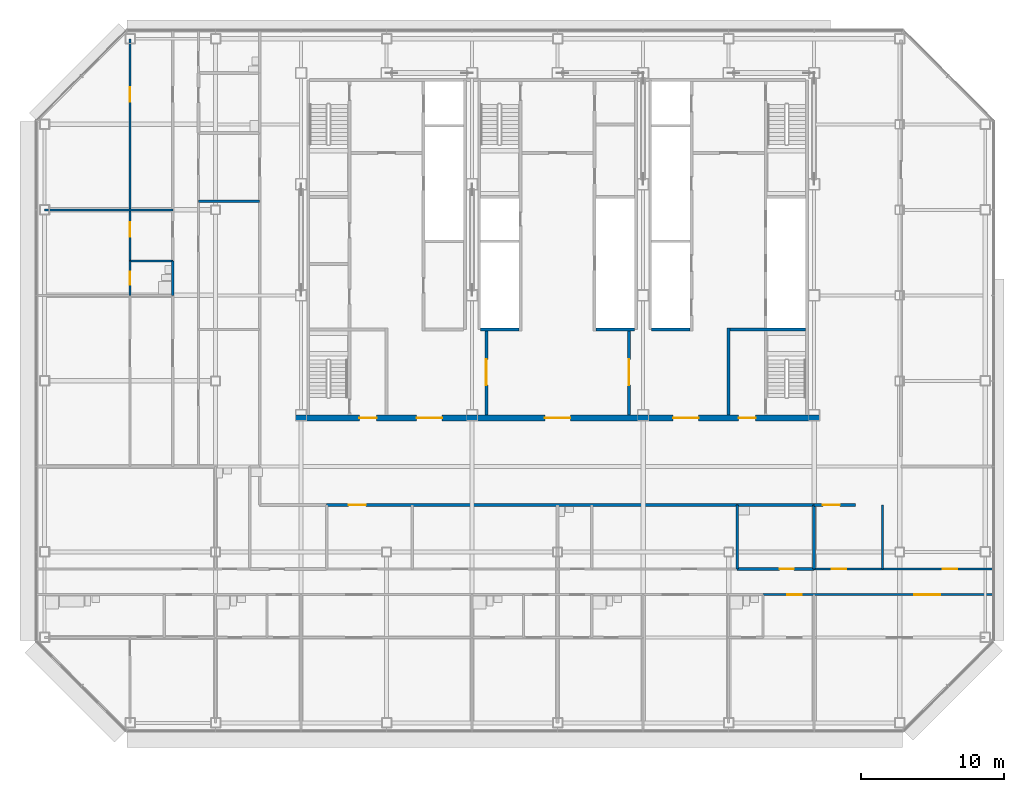
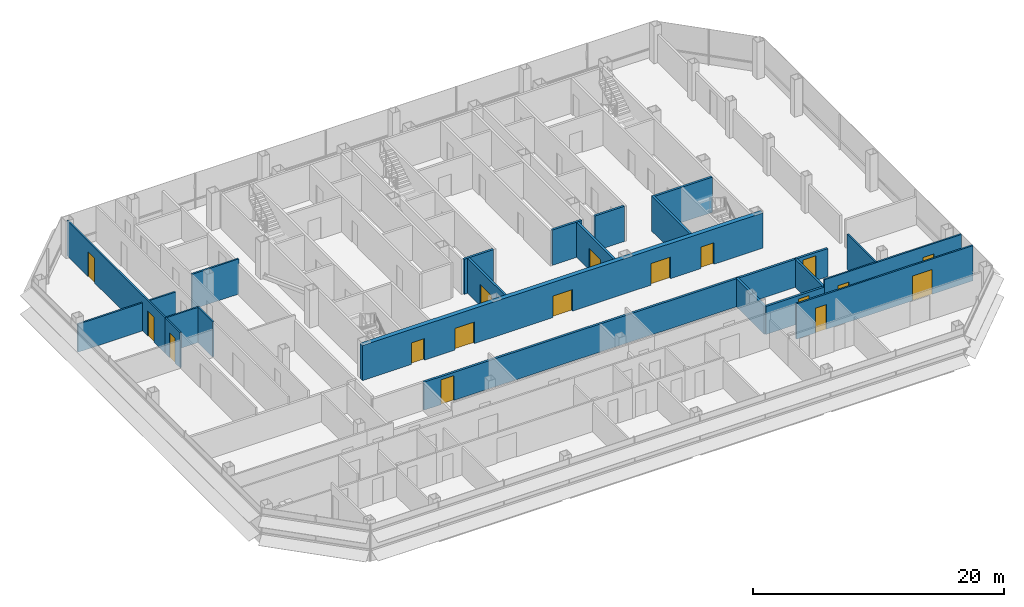
# One storey, part 22 of 27: 23 walls, 17 doors, 17 openings.
"""IFC4 building model written with IfcOpenShell, lengths in metres."""

from ifc_helpers import new_model, si_unit, direction, frame, frame_2d, origin, place, context, subcontext, project, spatial, rectangle, extrude, material, layer, layer_set, type_object, element, fill, save


model = new_model("IFC4")

# Units and contexts
model_context = context("Model", 3, precision=1e-05, world=origin(), true_north=direction((0.0, 1.0)))
body_context = subcontext(model_context, "Body", "Model", "MODEL_VIEW")
ifc_project = project(units=[si_unit("LENGTHUNIT", "METRE"), si_unit("AREAUNIT", "SQUARE_METRE"), si_unit("VOLUMEUNIT", "CUBIC_METRE"), si_unit("PLANEANGLEUNIT", "RADIAN"), si_unit("MASSUNIT", "GRAM", prefix="KILO")], contexts=[model_context])

# Site, building, storey
site_placement = place(None, origin())
site = spatial("IfcSite", under=ifc_project, at=site_placement, CompositionType="ELEMENT")
building_placement = place(site_placement, origin())
building = spatial("IfcBuilding", under=site, at=building_placement, Name="Sorahane Residences", CompositionType="ELEMENT")
storey_placement = place(building_placement, frame((0.0, 0.0, 195.60009765625)))
storey = spatial("IfcBuildingStorey", under=building, at=storey_placement, Name="L45", CompositionType="ELEMENT", Elevation=195.60009765625)

# Wall, opening, door
ifc_material_1 = material(Name="Concrete blockwork C20 wall", Category="masonry")
ifc_layer_1 = layer(ifc_material_1, 0.199951171875)
ifc_layer_set_1 = layer_set([ifc_layer_1], Name="Corridor wall 200 EI 120")
wall_type_1 = type_object("IfcWallType", Name="Corridor wall 200 EI 120", PredefinedType="SOLIDWALL", material=ifc_layer_set_1)
wall_1_placement = place(storey_placement, frame((7.800048828125, 15.300048828125, 0.0), z_axis=(0.0, 0.0, 1.0), x_axis=(1.0, 0.0, 0.0)))
wall_1 = element("IfcWall", 1, at=wall_1_placement, inside=storey, type_object=wall_type_1, Name="L45 corridor wall", PredefinedType="SOLIDWALL", context=body_context, shape_type="SweptSolid", body=[
    extrude(rectangle(XDim=28.800048828125, YDim=0.199951171875, at=frame_2d((14.39990234375, 0.0))), origin(), (0.0, 0.0, 1.0), 2.719970703125),
])
opening_1_placement = place(wall_1_placement, frame((1.5400390625, 0.0, 0.0)))
opening_1 = element("IfcOpeningElement", 2, at=opening_1_placement, cuts=wall_1, Name="Opening L45-44", PredefinedType="OPENING", context=body_context, shape_type="SweptSolid", body=[
    extrude(rectangle(XDim=1.199951171875, YDim=2.39990234375, at=frame_2d((0.60009765625, 1.199951171875))), frame((0.0, 0.10986328125, 0.0), z_axis=(0.0, -1.0, 0.0), x_axis=(1.0, 0.0, 0.0)), (0.0, 0.0, 1.0), 0.219970703125),
])
ifc_material_2 = material(Name="Timber veneered fire door", Category="wood")
door_type_1 = type_object("IfcDoorType", Name="Flat entrance door 1200x2400 FD60", OperationType="NOTDEFINED", PredefinedType="DOOR", material=ifc_material_2)
door_1_placement = place(opening_1_placement, frame((1.199951171875, 0.0, 0.0), z_axis=(0.0, 0.0, 1.0), x_axis=(-1.0, 0.0, 0.0)))
door_1 = element("IfcDoor", 3, at=door_1_placement, inside=storey, type_object=door_type_1, Name="Flat entrance door L45-44", OperationType="SINGLE_SWING_LEFT", OverallHeight=2.39990234375, OverallWidth=1.199951171875, PredefinedType="DOOR", context=body_context, shape_type="SweptSolid", body=[
    extrude(rectangle(XDim=1.199951171875, YDim=2.39990234375, at=frame_2d((0.60009765625, 1.199951171875))), frame((0.0, 0.02490234375, 0.0), z_axis=(0.0, -1.0, 0.0), x_axis=(1.0, 0.0, 0.0)), (0.0, 0.0, 1.0), 0.050048828125),
])
fill(opening_1, door_1)

wall_2_placement = place(storey_placement, frame((42.0, 15.300048828125, 0.0), z_axis=(0.0, 0.0, 1.0), x_axis=(1.0, 0.0, 0.0)))
wall_2 = element("IfcWall", 4, at=wall_2_placement, inside=storey, type_object=wall_type_1, Name="L45 corridor wall", PredefinedType="SOLIDWALL", context=body_context, shape_type="SweptSolid", body=[
    extrude(rectangle(XDim=2.89990234375, YDim=0.199951171875, at=frame_2d((1.449951171875, 0.0))), origin(), (0.0, 0.0, 1.0), 2.719970703125),
])
opening_2_placement = place(wall_2_placement, frame((0.610107421875, 0.0, 0.0)))
opening_2 = element("IfcOpeningElement", 5, at=opening_2_placement, cuts=wall_2, Name="Opening L45-45", PredefinedType="OPENING", context=body_context, shape_type="SweptSolid", body=[
    extrude(rectangle(XDim=1.199951171875, YDim=2.39990234375, at=frame_2d((0.60009765625, 1.199951171875))), frame((0.0, 0.10986328125, 0.0), z_axis=(0.0, -1.0, 0.0), x_axis=(1.0, 0.0, 0.0)), (0.0, 0.0, 1.0), 0.219970703125),
])
door_2_placement = place(opening_2_placement, frame((1.199951171875, 0.0, 0.0), z_axis=(0.0, 0.0, 1.0), x_axis=(-1.0, 0.0, 0.0)))
door_2 = element("IfcDoor", 6, at=door_2_placement, inside=storey, type_object=door_type_1, Name="Flat entrance door L45-45", OperationType="SINGLE_SWING_RIGHT", OverallHeight=2.39990234375, OverallWidth=1.199951171875, PredefinedType="DOOR", context=body_context, shape_type="SweptSolid", body=[
    extrude(rectangle(XDim=1.199951171875, YDim=2.39990234375, at=frame_2d((0.60009765625, 1.199951171875))), frame((0.0, 0.02490234375, 0.0), z_axis=(0.0, -1.0, 0.0), x_axis=(1.0, 0.0, 0.0)), (0.0, 0.0, 1.0), 0.050048828125),
])
fill(opening_2, door_2)

# Walls
ifc_material_3 = material(Name="Concrete C30", Category="concrete")
ifc_layer_2 = layer(ifc_material_3, 0.199951171875)
ifc_layer_set_2 = layer_set([ifc_layer_2], Name="Front room wall 200 EI 120")
wall_type_2 = type_object("IfcWallType", Name="Front room wall 200 EI 120", PredefinedType="PARTITIONING", material=ifc_layer_set_2)
wall_3_placement = place(storey_placement, frame((36.0, 21.60009765625, 0.0), z_axis=(0.0, 0.0, 1.0), x_axis=(0.0, 1.0, 0.0)))
element("IfcWall", 7, at=wall_3_placement, inside=storey, type_object=wall_type_2, Name="L45 front room wall", PredefinedType="PARTITIONING", context=body_context, shape_type="SweptSolid", body=[
    extrude(rectangle(XDim=6.099853515625, YDim=0.199951171875, at=frame_2d((3.0498046875, 0.0))), origin(), (0.0, 0.0, 1.0), 3.419921875),
])
ifc_material_4 = material(Name="Concrete blockwork C20 wall", Category="masonry")
ifc_layer_3 = layer(ifc_material_4, 0.199951171875)
ifc_layer_set_3 = layer_set([ifc_layer_3], Name="Kitchen wall 200 EI 180")
wall_type_3 = type_object("IfcWallType", Name="Kitchen wall 200 EI 180", PredefinedType="SOLIDWALL", material=ifc_layer_set_3)
for number, where, z_axis, x_axis, name in (
    (8, (36.60009765625, 10.800048828125, 0.0), (0.0, 0.0, 1.0), (0.0, 1.0, 0.0), "L45 kitchen wall"),
    (9, (42.0, 10.800048828125, 0.0), (0.0, 0.0, 1.0), (0.0, 1.0, 0.0), "L45 kitchen wall"),
):
    element("IfcWall", number, at=place(storey_placement, frame(where, z_axis=z_axis, x_axis=x_axis)), inside=storey, type_object=wall_type_3, Name=name, PredefinedType="SOLIDWALL", context=body_context, shape_type="SweptSolid", body=[
        extrude(rectangle(XDim=4.5, YDim=0.199951171875, at=frame_2d((2.25, 0.0))), origin(), (0.0, 0.0, 1.0), 2.719970703125),
    ])

# Wall, opening, door
wall_4_placement = place(storey_placement, frame((36.60009765625, 10.800048828125, 0.0), z_axis=(0.0, 0.0, 1.0), x_axis=(1.0, 0.0, 0.0)))
wall_4 = element("IfcWall", 10, at=wall_4_placement, inside=storey, type_object=wall_type_3, Name="L45 kitchen wall", PredefinedType="SOLIDWALL", context=body_context, shape_type="SweptSolid", body=[
    extrude(rectangle(XDim=5.39990234375, YDim=0.199951171875, at=frame_2d((2.699951171875, 0.0))), origin(), (0.0, 0.0, 1.0), 2.719970703125),
])
opening_3_placement = place(wall_4_placement, frame((2.97998046875, 0.0, 0.0)))
opening_3 = element("IfcOpeningElement", 11, at=opening_3_placement, cuts=wall_4, Name="Opening L45-21", PredefinedType="OPENING", context=body_context, shape_type="SweptSolid", body=[
    extrude(rectangle(XDim=1.0, YDim=2.39990234375, at=frame_2d((0.5, 1.199951171875))), frame((0.0, 0.10986328125, 0.0), z_axis=(0.0, -1.0, 0.0), x_axis=(1.0, 0.0, 0.0)), (0.0, 0.0, 1.0), 0.219970703125),
])
ifc_material_5 = material(Name="Steel", Category="steel")
door_type_2 = type_object("IfcDoorType", Name="Kitchen door 1000x2400 FD120", OperationType="NOTDEFINED", PredefinedType="DOOR", material=ifc_material_5)
door_3_placement = place(opening_3_placement, origin())
door_3 = element("IfcDoor", 12, at=door_3_placement, inside=storey, type_object=door_type_2, Name="Kitchen door L45-21", OperationType="SINGLE_SWING_LEFT", OverallHeight=2.39990234375, OverallWidth=1.0, PredefinedType="DOOR", context=body_context, shape_type="SweptSolid", body=[
    extrude(rectangle(XDim=1.0, YDim=2.39990234375, at=frame_2d((0.5, 1.199951171875))), frame((0.0, 0.02490234375, 0.0), z_axis=(0.0, -1.0, 0.0), x_axis=(1.0, 0.0, 0.0)), (0.0, 0.0, 1.0), 0.050048828125),
])
fill(opening_3, door_3)

# Walls
wall_5_placement = place(storey_placement, frame((36.60009765625, 15.300048828125, 0.0), z_axis=(0.0, 0.0, 1.0), x_axis=(1.0, 0.0, 0.0)))
element("IfcWall", 13, at=wall_5_placement, inside=storey, type_object=wall_type_3, Name="L45 kitchen wall", PredefinedType="SOLIDWALL", context=body_context, shape_type="SweptSolid", body=[
    extrude(rectangle(XDim=5.39990234375, YDim=0.199951171875, at=frame_2d((2.699951171875, 0.0))), origin(), (0.0, 0.0, 1.0), 2.719970703125),
])
ifc_material_6 = material(Name="Concrete C30", Category="concrete")
ifc_layer_4 = layer(ifc_material_6, 0.199951171875)
ifc_layer_set_4 = layer_set([ifc_layer_4], Name="Lift shaft wall 200 EI 120")
wall_type_4 = type_object("IfcWallType", Name="Lift shaft wall 200 EI 120", PredefinedType="SOLIDWALL", material=ifc_layer_set_4)
for number, where, z_axis, x_axis, name in (
    (14, (18.60009765625, 27.60009765625, 0.0), (0.0, 0.0, 1.0), (1.0, 0.0, 0.0), "L45 lift shaft wall"),
    (15, (30.60009765625, 27.60009765625, 0.0), (0.0, 0.0, 1.0), (1.0, 0.0, 0.0), "L45 lift shaft wall"),
):
    element("IfcWall", number, at=place(storey_placement, frame(where, z_axis=z_axis, x_axis=x_axis)), inside=storey, type_object=wall_type_4, Name=name, PredefinedType="SOLIDWALL", context=body_context, shape_type="SweptSolid", body=[
        extrude(rectangle(XDim=2.699951171875, YDim=0.199951171875, at=frame_2d((1.35009765625, 0.0))), origin(), (0.0, 0.0, 1.0), 3.419921875),
    ])

# Wall, openings, doors
ifc_material_7 = material(Name="Gypsum board partition on steel studs", Category="steel")
ifc_layer_5 = layer(ifc_material_7, 0.14990234375)
ifc_layer_set_5 = layer_set([ifc_layer_5], Name="Partition 150 EI 90")
wall_type_5 = type_object("IfcWallType", Name="Partition 150 EI 90", PredefinedType="PARTITIONING", material=ifc_layer_set_5)
wall_6_placement = place(storey_placement, frame((-6.0, 32.39990234375, 0.0), z_axis=(0.0, 0.0, 1.0), x_axis=(0.0, 1.0, 0.0)))
wall_6 = element("IfcWall", 16, at=wall_6_placement, inside=storey, type_object=wall_type_5, Name="L45 partition", PredefinedType="PARTITIONING", context=body_context, shape_type="SweptSolid", body=[
    extrude(rectangle(XDim=15.60009765625, YDim=0.14990234375, at=frame_2d((7.800048828125, 0.0))), origin(), (0.0, 0.0, 1.0), 3.419921875),
])
opening_4_placement = place(wall_6_placement, frame((1.719970703125, 0.0, 0.0)))
opening_4 = element("IfcOpeningElement", 17, at=opening_4_placement, cuts=wall_6, Name="Opening L45-41", PredefinedType="OPENING", context=body_context, shape_type="SweptSolid", body=[
    extrude(rectangle(XDim=1.0, YDim=2.39990234375, at=frame_2d((0.5, 1.199951171875))), frame((0.0, 0.0849609375, 0.0), z_axis=(0.0, -1.0, 0.0), x_axis=(1.0, 0.0, 0.0)), (0.0, 0.0, 1.0), 0.169921875),
])
opening_5_placement = place(wall_6_placement, frame((11.199951171875, 0.0, 0.0)))
opening_5 = element("IfcOpeningElement", 18, at=opening_5_placement, cuts=wall_6, Name="Opening L45-43", PredefinedType="OPENING", context=body_context, shape_type="SweptSolid", body=[
    extrude(rectangle(XDim=1.0, YDim=2.39990234375, at=frame_2d((0.5, 1.199951171875))), frame((0.0, 0.0849609375, 0.0), z_axis=(0.0, -1.0, 0.0), x_axis=(1.0, 0.0, 0.0)), (0.0, 0.0, 1.0), 0.169921875),
])
ifc_material_8 = material(Name="Timber veneered fire door", Category="wood")
door_type_3 = type_object("IfcDoorType", Name="Room door 1000x2400 FD30", OperationType="NOTDEFINED", PredefinedType="DOOR", material=ifc_material_8)
door_4_placement = place(opening_4_placement, origin())
door_4 = element("IfcDoor", 19, at=door_4_placement, inside=storey, type_object=door_type_3, Name="Room door L45-41", OperationType="SINGLE_SWING_RIGHT", OverallHeight=2.39990234375, OverallWidth=1.0, PredefinedType="DOOR", context=body_context, shape_type="SweptSolid", body=[
    extrude(rectangle(XDim=1.0, YDim=2.39990234375, at=frame_2d((0.5, 1.199951171875))), frame((0.0, 0.02490234375, 0.0), z_axis=(0.0, -1.0, 0.0), x_axis=(1.0, 0.0, 0.0)), (0.0, 0.0, 1.0), 0.050048828125),
])
fill(opening_4, door_4)
door_5_placement = place(opening_5_placement, origin())
door_5 = element("IfcDoor", 20, at=door_5_placement, inside=storey, type_object=door_type_3, Name="Room door L45-43", OperationType="SINGLE_SWING_LEFT", OverallHeight=2.39990234375, OverallWidth=1.0, PredefinedType="DOOR", context=body_context, shape_type="SweptSolid", body=[
    extrude(rectangle(XDim=1.0, YDim=2.39990234375, at=frame_2d((0.5, 1.199951171875))), frame((0.0, 0.02490234375, 0.0), z_axis=(0.0, -1.0, 0.0), x_axis=(1.0, 0.0, 0.0)), (0.0, 0.0, 1.0), 0.050048828125),
])
fill(opening_5, door_5)

# Wall
wall_7_placement = place(storey_placement, frame((46.800048828125, 10.800048828125, 0.0), z_axis=(0.0, 0.0, 1.0), x_axis=(0.0, 1.0, 0.0)))
element("IfcWall", 21, at=wall_7_placement, inside=storey, type_object=wall_type_5, Name="L45 partition", PredefinedType="PARTITIONING", context=body_context, shape_type="SweptSolid", body=[
    extrude(rectangle(XDim=4.5, YDim=0.14990234375, at=frame_2d((2.25, 0.0))), origin(), (0.0, 0.0, 1.0), 3.419921875),
])

# Wall, openings, doors
wall_8_placement = place(storey_placement, frame((42.0, 10.800048828125, 0.0), z_axis=(0.0, 0.0, 1.0), x_axis=(1.0, 0.0, 0.0)))
wall_8 = element("IfcWall", 22, at=wall_8_placement, inside=storey, type_object=wall_type_5, Name="L45 partition", PredefinedType="PARTITIONING", context=body_context, shape_type="SweptSolid", body=[
    extrude(rectangle(XDim=12.60009765625, YDim=0.14990234375, at=frame_2d((6.300048828125, 0.0))), origin(), (0.0, 0.0, 1.0), 3.419921875),
])
opening_6_placement = place(wall_8_placement, frame((1.239990234375, 0.0, 0.0)))
opening_6 = element("IfcOpeningElement", 23, at=opening_6_placement, cuts=wall_8, Name="Opening L45-18", PredefinedType="OPENING", context=body_context, shape_type="SweptSolid", body=[
    extrude(rectangle(XDim=1.0, YDim=2.39990234375, at=frame_2d((0.5, 1.199951171875))), frame((0.0, 0.0849609375, 0.0), z_axis=(0.0, -1.0, 0.0), x_axis=(1.0, 0.0, 0.0)), (0.0, 0.0, 1.0), 0.169921875),
])
opening_7_placement = place(wall_8_placement, frame((9.0400390625, 0.0, 0.0)))
opening_7 = element("IfcOpeningElement", 24, at=opening_7_placement, cuts=wall_8, Name="Opening L45-22", PredefinedType="OPENING", context=body_context, shape_type="SweptSolid", body=[
    extrude(rectangle(XDim=1.0, YDim=2.39990234375, at=frame_2d((0.5, 1.199951171875))), frame((0.0, 0.0849609375, 0.0), z_axis=(0.0, -1.0, 0.0), x_axis=(1.0, 0.0, 0.0)), (0.0, 0.0, 1.0), 0.169921875),
])
door_6_placement = place(opening_6_placement, frame((1.0, 0.0, 0.0), z_axis=(0.0, 0.0, 1.0), x_axis=(-1.0, 0.0, 0.0)))
door_6 = element("IfcDoor", 25, at=door_6_placement, inside=storey, type_object=door_type_3, Name="Room door L45-18", OperationType="SINGLE_SWING_LEFT", OverallHeight=2.39990234375, OverallWidth=1.0, PredefinedType="DOOR", context=body_context, shape_type="SweptSolid", body=[
    extrude(rectangle(XDim=1.0, YDim=2.39990234375, at=frame_2d((0.5, 1.199951171875))), frame((0.0, 0.02490234375, 0.0), z_axis=(0.0, -1.0, 0.0), x_axis=(1.0, 0.0, 0.0)), (0.0, 0.0, 1.0), 0.050048828125),
])
fill(opening_6, door_6)
door_7_placement = place(opening_7_placement, origin())
door_7 = element("IfcDoor", 26, at=door_7_placement, inside=storey, type_object=door_type_3, Name="Room door L45-22", OperationType="SINGLE_SWING_RIGHT", OverallHeight=2.39990234375, OverallWidth=1.0, PredefinedType="DOOR", context=body_context, shape_type="SweptSolid", body=[
    extrude(rectangle(XDim=1.0, YDim=2.39990234375, at=frame_2d((0.5, 1.199951171875))), frame((0.0, 0.02490234375, 0.0), z_axis=(0.0, -1.0, 0.0), x_axis=(1.0, 0.0, 0.0)), (0.0, 0.0, 1.0), 0.050048828125),
])
fill(opening_7, door_7)

# Walls
wall_9_placement = place(storey_placement, frame((-12.0, 36.0, 0.0), z_axis=(0.0, 0.0, 1.0), x_axis=(1.0, 0.0, 0.0)))
element("IfcWall", 27, at=wall_9_placement, inside=storey, type_object=wall_type_5, Name="L45 partition", PredefinedType="PARTITIONING", context=body_context, shape_type="SweptSolid", body=[
    extrude(rectangle(XDim=9.0, YDim=0.14990234375, at=frame_2d((4.5, 0.0))), origin(), (0.0, 0.0, 1.0), 2.719970703125),
])
wall_10_placement = place(storey_placement, frame((-1.199951171875, 36.60009765625, 0.0), z_axis=(0.0, 0.0, 1.0), x_axis=(1.0, 0.0, 0.0)))
element("IfcWall", 28, at=wall_10_placement, inside=storey, type_object=wall_type_5, Name="L45 partition", PredefinedType="PARTITIONING", context=body_context, shape_type="SweptSolid", body=[
    extrude(rectangle(XDim=4.300048828125, YDim=0.14990234375, at=frame_2d((2.14990234375, 0.0))), origin(), (0.0, 0.0, 1.0), 3.419921875),
])

# Wall, openings, doors
wall_11_placement = place(storey_placement, frame((38.39990234375, 9.0, 0.0), z_axis=(0.0, 0.0, 1.0), x_axis=(1.0, 0.0, 0.0)))
wall_11 = element("IfcWall", 29, at=wall_11_placement, inside=storey, type_object=wall_type_5, Name="L45 partition", PredefinedType="PARTITIONING", context=body_context, shape_type="SweptSolid", body=[
    extrude(rectangle(XDim=16.2001953125, YDim=0.14990234375, at=frame_2d((8.10009765625, 0.0))), origin(), (0.0, 0.0, 1.0), 3.419921875),
])
opening_8_placement = place(wall_11_placement, frame((1.719970703125, 0.0, 0.0)))
opening_8 = element("IfcOpeningElement", 30, at=opening_8_placement, cuts=wall_11, Name="Opening L45-25", PredefinedType="OPENING", context=body_context, shape_type="SweptSolid", body=[
    extrude(rectangle(XDim=1.0, YDim=2.39990234375, at=frame_2d((0.5, 1.199951171875))), frame((0.0, 0.0849609375, 0.0), z_axis=(0.0, -1.0, 0.0), x_axis=(1.0, 0.0, 0.0)), (0.0, 0.0, 1.0), 0.169921875),
])
opening_9_placement = place(wall_11_placement, frame((10.639892578125, 0.0, 0.0)))
opening_9 = element("IfcOpeningElement", 31, at=opening_9_placement, cuts=wall_11, Name="Opening L45-26", PredefinedType="OPENING", context=body_context, shape_type="SweptSolid", body=[
    extrude(rectangle(XDim=1.800048828125, YDim=2.39990234375, at=frame_2d((0.89990234375, 1.199951171875))), frame((0.0, 0.0849609375, 0.0), z_axis=(0.0, -1.0, 0.0), x_axis=(1.0, 0.0, 0.0)), (0.0, 0.0, 1.0), 0.169921875),
])
ifc_material_9 = material(Name="Timber veneered fire door", Category="wood")
door_type_4 = type_object("IfcDoorType", Name="Double door 1800x2400 FD30", OperationType="NOTDEFINED", PredefinedType="DOOR", material=ifc_material_9)
door_8_placement = place(opening_9_placement, frame((1.800048828125, 0.0, 0.0), z_axis=(0.0, 0.0, 1.0), x_axis=(-1.0, 0.0, 0.0)))
door_8 = element("IfcDoor", 32, at=door_8_placement, inside=storey, type_object=door_type_4, Name="Double door L45-26", OperationType="SINGLE_SWING_RIGHT", OverallHeight=2.39990234375, OverallWidth=1.800048828125, PredefinedType="DOOR", context=body_context, shape_type="SweptSolid", body=[
    extrude(rectangle(XDim=1.800048828125, YDim=2.39990234375, at=frame_2d((0.89990234375, 1.199951171875))), frame((0.0, 0.02490234375, 0.0), z_axis=(0.0, -1.0, 0.0), x_axis=(1.0, 0.0, 0.0)), (0.0, 0.0, 1.0), 0.050048828125),
])
fill(opening_9, door_8)
door_9_placement = place(opening_8_placement, frame((1.0, 0.0, 0.0), z_axis=(0.0, 0.0, 1.0), x_axis=(-1.0, 0.0, 0.0)))
door_9 = element("IfcDoor", 33, at=door_9_placement, inside=storey, type_object=door_type_3, Name="Room door L45-25", OperationType="SINGLE_SWING_LEFT", OverallHeight=2.39990234375, OverallWidth=1.0, PredefinedType="DOOR", context=body_context, shape_type="SweptSolid", body=[
    extrude(rectangle(XDim=1.0, YDim=2.39990234375, at=frame_2d((0.5, 1.199951171875))), frame((0.0, 0.02490234375, 0.0), z_axis=(0.0, -1.0, 0.0), x_axis=(1.0, 0.0, 0.0)), (0.0, 0.0, 1.0), 0.050048828125),
])
fill(opening_8, door_9)

# Wall
ifc_material_10 = material(Name="Concrete C30", Category="concrete")
ifc_layer_6 = layer(ifc_material_10, 0.199951171875)
ifc_layer_set_6 = layer_set([ifc_layer_6], Name="Riser shaft wall 200 EI 120")
wall_type_6 = type_object("IfcWallType", Name="Riser shaft wall 200 EI 120", PredefinedType="SOLIDWALL", material=ifc_layer_set_6)
wall_12_placement = place(storey_placement, frame((26.699951171875, 27.60009765625, 0.0), z_axis=(0.0, 0.0, 1.0), x_axis=(1.0, 0.0, 0.0)))
element("IfcWall", 34, at=wall_12_placement, inside=storey, type_object=wall_type_6, Name="L45 riser wall", PredefinedType="SOLIDWALL", context=body_context, shape_type="SweptSolid", body=[
    extrude(rectangle(XDim=2.699951171875, YDim=0.199951171875, at=frame_2d((1.35009765625, 0.0))), origin(), (0.0, 0.0, 1.0), 3.419921875),
])

# Wall, opening, door
ifc_material_11 = material(Name="Concrete C30", Category="concrete")
ifc_layer_7 = layer(ifc_material_11, 0.199951171875)
ifc_layer_set_7 = layer_set([ifc_layer_7], Name="Service room partition 200 EI 60")
wall_type_7 = type_object("IfcWallType", Name="Service room partition 200 EI 60", PredefinedType="PARTITIONING", material=ifc_layer_set_7)
wall_13_placement = place(storey_placement, frame((19.0, 21.60009765625, 0.0), z_axis=(0.0, 0.0, 1.0), x_axis=(0.0, 1.0, 0.0)))
wall_13 = element("IfcWall", 35, at=wall_13_placement, inside=storey, type_object=wall_type_7, Name="L45 service room wall", PredefinedType="PARTITIONING", context=body_context, shape_type="SweptSolid", body=[
    extrude(rectangle(XDim=6.0, YDim=0.199951171875, at=frame_2d((3.0, 0.0))), origin(), (0.0, 0.0, 1.0), 3.419921875),
])
opening_10_placement = place(wall_13_placement, frame((2.10009765625, 0.0, 0.0)))
opening_10 = element("IfcOpeningElement", 36, at=opening_10_placement, cuts=wall_13, Name="Opening L45-C02", PredefinedType="OPENING", context=body_context, shape_type="SweptSolid", body=[
    extrude(rectangle(XDim=1.800048828125, YDim=2.10009765625, at=frame_2d((0.89990234375, 1.050048828125))), frame((0.0, 0.10986328125, 0.0), z_axis=(0.0, -1.0, 0.0), x_axis=(1.0, 0.0, 0.0)), (0.0, 0.0, 1.0), 0.219970703125),
])
ifc_material_12 = material(Name="Steel", Category="steel")
door_type_5 = type_object("IfcDoorType", Name="Waiting hall door 1800x2100 FD60", OperationType="NOTDEFINED", PredefinedType="DOOR", material=ifc_material_12)
door_10_placement = place(opening_10_placement, origin())
door_10 = element("IfcDoor", 37, at=door_10_placement, inside=storey, type_object=door_type_5, Name="Waiting hall door Residents' waiting hall west L45", OperationType="SINGLE_SWING_LEFT", OverallHeight=2.10009765625, OverallWidth=1.800048828125, PredefinedType="DOOR", context=body_context, shape_type="SweptSolid", body=[
    extrude(rectangle(XDim=1.800048828125, YDim=2.10009765625, at=frame_2d((0.89990234375, 1.050048828125))), frame((0.0, 0.02490234375, 0.0), z_axis=(0.0, -1.0, 0.0), x_axis=(1.0, 0.0, 0.0)), (0.0, 0.0, 1.0), 0.050048828125),
])
fill(opening_10, door_10)

wall_14_placement = place(storey_placement, frame((29.0, 21.60009765625, 0.0), z_axis=(0.0, 0.0, 1.0), x_axis=(0.0, 1.0, 0.0)))
wall_14 = element("IfcWall", 38, at=wall_14_placement, inside=storey, type_object=wall_type_7, Name="L45 service room wall", PredefinedType="PARTITIONING", context=body_context, shape_type="SweptSolid", body=[
    extrude(rectangle(XDim=6.0, YDim=0.199951171875, at=frame_2d((3.0, 0.0))), origin(), (0.0, 0.0, 1.0), 3.419921875),
])
opening_11_placement = place(wall_14_placement, frame((2.10009765625, 0.0, 0.0)))
opening_11 = element("IfcOpeningElement", 39, at=opening_11_placement, cuts=wall_14, Name="Opening L45-C04", PredefinedType="OPENING", context=body_context, shape_type="SweptSolid", body=[
    extrude(rectangle(XDim=1.800048828125, YDim=2.10009765625, at=frame_2d((0.89990234375, 1.050048828125))), frame((0.0, 0.10986328125, 0.0), z_axis=(0.0, -1.0, 0.0), x_axis=(1.0, 0.0, 0.0)), (0.0, 0.0, 1.0), 0.219970703125),
])
door_11_placement = place(opening_11_placement, origin())
door_11 = element("IfcDoor", 40, at=door_11_placement, inside=storey, type_object=door_type_5, Name="Waiting hall door Residents' waiting hall centre L45", OperationType="SINGLE_SWING_LEFT", OverallHeight=2.10009765625, OverallWidth=1.800048828125, PredefinedType="DOOR", context=body_context, shape_type="SweptSolid", body=[
    extrude(rectangle(XDim=1.800048828125, YDim=2.10009765625, at=frame_2d((0.89990234375, 1.050048828125))), frame((0.0, 0.02490234375, 0.0), z_axis=(0.0, -1.0, 0.0), x_axis=(1.0, 0.0, 0.0)), (0.0, 0.0, 1.0), 0.050048828125),
])
fill(opening_11, door_11)

# Wall
ifc_material_13 = material(Name="Concrete C30", Category="concrete")
ifc_layer_8 = layer(ifc_material_13, 0.199951171875)
ifc_layer_set_8 = layer_set([ifc_layer_8], Name="Stair enclosure wall 200 EI 120")
wall_type_8 = type_object("IfcWallType", Name="Stair enclosure wall 200 EI 120", PredefinedType="SOLIDWALL", material=ifc_layer_set_8)
wall_15_placement = place(storey_placement, frame((36.10009765625, 27.60009765625, 0.0), z_axis=(0.0, 0.0, 1.0), x_axis=(1.0, 0.0, 0.0)))
element("IfcWall", 41, at=wall_15_placement, inside=storey, type_object=wall_type_8, Name="L45 stair enclosure wall", PredefinedType="SOLIDWALL", context=body_context, shape_type="SweptSolid", body=[
    extrude(rectangle(XDim=5.2998046875, YDim=0.199951171875, at=frame_2d((2.64990234375, 0.0))), origin(), (0.0, 0.0, 1.0), 3.419921875),
])

# Wall, openings, doors
ifc_material_14 = material(Name="Concrete C30", Category="concrete")
ifc_layer_9 = layer(ifc_material_14, 0.39990234375)
ifc_layer_set_9 = layer_set([ifc_layer_9], Name="Waiting hall wall 400 EI 120")
wall_type_9 = type_object("IfcWallType", Name="Waiting hall wall 400 EI 120", PredefinedType="SOLIDWALL", material=ifc_layer_set_9)
wall_16_placement = place(storey_placement, frame((5.60009765625, 21.39990234375, 0.0), z_axis=(0.0, 0.0, 1.0), x_axis=(1.0, 0.0, 0.0)))
wall_16 = element("IfcWall", 42, at=wall_16_placement, inside=storey, type_object=wall_type_9, Name="L45 waiting hall wall", PredefinedType="SOLIDWALL", context=body_context, shape_type="SweptSolid", body=[
    extrude(rectangle(XDim=36.7998046875, YDim=0.39990234375, at=frame_2d((18.39990234375, 0.0))), origin(), (0.0, 0.0, 1.0), 3.419921875),
])
opening_12_placement = place(wall_16_placement, frame((8.5, 0.0, 0.0)))
opening_12 = element("IfcOpeningElement", 43, at=opening_12_placement, cuts=wall_16, Name="Opening L45-C01", PredefinedType="OPENING", context=body_context, shape_type="SweptSolid", body=[
    extrude(rectangle(XDim=1.800048828125, YDim=2.10009765625, at=frame_2d((0.89990234375, 1.050048828125))), frame((0.0, 0.2099609375, 0.0), z_axis=(0.0, -1.0, 0.0), x_axis=(1.0, 0.0, 0.0)), (0.0, 0.0, 1.0), 0.419921875),
])
opening_13_placement = place(wall_16_placement, frame((17.5, 0.0, 0.0)))
opening_13 = element("IfcOpeningElement", 44, at=opening_13_placement, cuts=wall_16, Name="Opening L45-C03", PredefinedType="OPENING", context=body_context, shape_type="SweptSolid", body=[
    extrude(rectangle(XDim=1.800048828125, YDim=2.10009765625, at=frame_2d((0.89990234375, 1.050048828125))), frame((0.0, 0.2099609375, 0.0), z_axis=(0.0, -1.0, 0.0), x_axis=(1.0, 0.0, 0.0)), (0.0, 0.0, 1.0), 0.419921875),
])
opening_14_placement = place(wall_16_placement, frame((26.5, 0.0, 0.0)))
opening_14 = element("IfcOpeningElement", 45, at=opening_14_placement, cuts=wall_16, Name="Opening L45-C05", PredefinedType="OPENING", context=body_context, shape_type="SweptSolid", body=[
    extrude(rectangle(XDim=1.800048828125, YDim=2.10009765625, at=frame_2d((0.89990234375, 1.050048828125))), frame((0.0, 0.2099609375, 0.0), z_axis=(0.0, -1.0, 0.0), x_axis=(1.0, 0.0, 0.0)), (0.0, 0.0, 1.0), 0.419921875),
])
opening_15_placement = place(wall_16_placement, frame((4.5, 0.0, 0.0)))
opening_15 = element("IfcOpeningElement", 46, at=opening_15_placement, cuts=wall_16, Name="Opening L45-C06", PredefinedType="OPENING", context=body_context, shape_type="SweptSolid", body=[
    extrude(rectangle(XDim=1.199951171875, YDim=2.10009765625, at=frame_2d((0.60009765625, 1.050048828125))), frame((0.0, 0.2099609375, 0.0), z_axis=(0.0, -1.0, 0.0), x_axis=(1.0, 0.0, 0.0)), (0.0, 0.0, 1.0), 0.419921875),
])
opening_16_placement = place(wall_16_placement, frame((31.10009765625, 0.0, 0.0)))
opening_16 = element("IfcOpeningElement", 47, at=opening_16_placement, cuts=wall_16, Name="Opening L45-C07", PredefinedType="OPENING", context=body_context, shape_type="SweptSolid", body=[
    extrude(rectangle(XDim=1.199951171875, YDim=2.10009765625, at=frame_2d((0.60009765625, 1.050048828125))), frame((0.0, 0.2099609375, 0.0), z_axis=(0.0, -1.0, 0.0), x_axis=(1.0, 0.0, 0.0)), (0.0, 0.0, 1.0), 0.419921875),
])
ifc_material_15 = material(Name="Steel", Category="steel")
door_type_6 = type_object("IfcDoorType", Name="Stair front room door 1200x2100 FD120", OperationType="NOTDEFINED", PredefinedType="DOOR", material=ifc_material_15)
door_12_placement = place(opening_15_placement, frame((1.199951171875, 0.0, 0.0), z_axis=(0.0, 0.0, 1.0), x_axis=(-1.0, 0.0, 0.0)))
door_12 = element("IfcDoor", 48, at=door_12_placement, inside=storey, type_object=door_type_6, Name="Stair front room door Stair S4 front room L45", OperationType="SINGLE_SWING_LEFT", OverallHeight=2.10009765625, OverallWidth=1.199951171875, PredefinedType="DOOR", context=body_context, shape_type="SweptSolid", body=[
    extrude(rectangle(XDim=1.199951171875, YDim=2.10009765625, at=frame_2d((0.60009765625, 1.050048828125))), frame((0.0, 0.02490234375, 0.0), z_axis=(0.0, -1.0, 0.0), x_axis=(1.0, 0.0, 0.0)), (0.0, 0.0, 1.0), 0.050048828125),
])
fill(opening_15, door_12)
door_13_placement = place(opening_16_placement, frame((1.199951171875, 0.0, 0.0), z_axis=(0.0, 0.0, 1.0), x_axis=(-1.0, 0.0, 0.0)))
door_13 = element("IfcDoor", 49, at=door_13_placement, inside=storey, type_object=door_type_6, Name="Stair front room door Stair S5 front room L45", OperationType="SINGLE_SWING_LEFT", OverallHeight=2.10009765625, OverallWidth=1.199951171875, PredefinedType="DOOR", context=body_context, shape_type="SweptSolid", body=[
    extrude(rectangle(XDim=1.199951171875, YDim=2.10009765625, at=frame_2d((0.60009765625, 1.050048828125))), frame((0.0, 0.02490234375, 0.0), z_axis=(0.0, -1.0, 0.0), x_axis=(1.0, 0.0, 0.0)), (0.0, 0.0, 1.0), 0.050048828125),
])
fill(opening_16, door_13)
door_14_placement = place(opening_12_placement, frame((1.800048828125, 0.0, 0.0), z_axis=(0.0, 0.0, 1.0), x_axis=(-1.0, 0.0, 0.0)))
door_14 = element("IfcDoor", 50, at=door_14_placement, inside=storey, type_object=door_type_5, Name="Waiting hall door Residents' waiting hall west L45", OperationType="SINGLE_SWING_LEFT", OverallHeight=2.10009765625, OverallWidth=1.800048828125, PredefinedType="DOOR", context=body_context, shape_type="SweptSolid", body=[
    extrude(rectangle(XDim=1.800048828125, YDim=2.10009765625, at=frame_2d((0.89990234375, 1.050048828125))), frame((0.0, 0.02490234375, 0.0), z_axis=(0.0, -1.0, 0.0), x_axis=(1.0, 0.0, 0.0)), (0.0, 0.0, 1.0), 0.050048828125),
])
fill(opening_12, door_14)
door_15_placement = place(opening_13_placement, frame((1.800048828125, 0.0, 0.0), z_axis=(0.0, 0.0, 1.0), x_axis=(-1.0, 0.0, 0.0)))
door_15 = element("IfcDoor", 51, at=door_15_placement, inside=storey, type_object=door_type_5, Name="Waiting hall door Residents' waiting hall centre L45", OperationType="SINGLE_SWING_LEFT", OverallHeight=2.10009765625, OverallWidth=1.800048828125, PredefinedType="DOOR", context=body_context, shape_type="SweptSolid", body=[
    extrude(rectangle(XDim=1.800048828125, YDim=2.10009765625, at=frame_2d((0.89990234375, 1.050048828125))), frame((0.0, 0.02490234375, 0.0), z_axis=(0.0, -1.0, 0.0), x_axis=(1.0, 0.0, 0.0)), (0.0, 0.0, 1.0), 0.050048828125),
])
fill(opening_13, door_15)
door_16_placement = place(opening_14_placement, frame((1.800048828125, 0.0, 0.0), z_axis=(0.0, 0.0, 1.0), x_axis=(-1.0, 0.0, 0.0)))
door_16 = element("IfcDoor", 52, at=door_16_placement, inside=storey, type_object=door_type_5, Name="Waiting hall door Residents' waiting hall east L45", OperationType="SINGLE_SWING_LEFT", OverallHeight=2.10009765625, OverallWidth=1.800048828125, PredefinedType="DOOR", context=body_context, shape_type="SweptSolid", body=[
    extrude(rectangle(XDim=1.800048828125, YDim=2.10009765625, at=frame_2d((0.89990234375, 1.050048828125))), frame((0.0, 0.02490234375, 0.0), z_axis=(0.0, -1.0, 0.0), x_axis=(1.0, 0.0, 0.0)), (0.0, 0.0, 1.0), 0.050048828125),
])
fill(opening_14, door_16)

# Wall
ifc_material_16 = material(Name="Gypsum board partition on steel studs", Category="steel")
ifc_layer_10 = layer(ifc_material_16, 0.14990234375)
ifc_layer_set_10 = layer_set([ifc_layer_10], Name="Wet wall 150 EI 90")
wall_type_10 = type_object("IfcWallType", Name="Wet wall 150 EI 90", PredefinedType="PARTITIONING", material=ifc_layer_set_10)
wall_17_placement = place(storey_placement, frame((-3.0, 30.0, 0.0), z_axis=(0.0, 0.0, 1.0), x_axis=(0.0, 1.0, 0.0)))
element("IfcWall", 53, at=wall_17_placement, inside=storey, type_object=wall_type_10, Name="L45 wet wall", PredefinedType="PARTITIONING", context=body_context, shape_type="SweptSolid", body=[
    extrude(rectangle(XDim=2.39990234375, YDim=0.14990234375, at=frame_2d((1.199951171875, 0.0))), origin(), (0.0, 0.0, 1.0), 3.419921875),
])

# Wall, opening, door
wall_18_placement = place(storey_placement, frame((-6.0, 30.0, 0.0), z_axis=(0.0, 0.0, 1.0), x_axis=(0.0, 1.0, 0.0)))
wall_18 = element("IfcWall", 54, at=wall_18_placement, inside=storey, type_object=wall_type_10, Name="L45 wet wall", PredefinedType="PARTITIONING", context=body_context, shape_type="SweptSolid", body=[
    extrude(rectangle(XDim=2.39990234375, YDim=0.14990234375, at=frame_2d((1.199951171875, 0.0))), origin(), (0.0, 0.0, 1.0), 3.419921875),
])
opening_17_placement = place(wall_18_placement, frame((0.75, 0.0, 0.0)))
opening_17 = element("IfcOpeningElement", 55, at=opening_17_placement, cuts=wall_18, Name="Opening L45-42", PredefinedType="OPENING", context=body_context, shape_type="SweptSolid", body=[
    extrude(rectangle(XDim=0.89990234375, YDim=2.39990234375, at=frame_2d((0.449951171875, 1.199951171875))), frame((0.0, 0.0849609375, 0.0), z_axis=(0.0, -1.0, 0.0), x_axis=(1.0, 0.0, 0.0)), (0.0, 0.0, 1.0), 0.169921875),
])
ifc_material_17 = material(Name="Timber veneered fire door", Category="wood")
door_type_7 = type_object("IfcDoorType", Name="Bathroom door 900x2400 FD30", OperationType="NOTDEFINED", PredefinedType="DOOR", material=ifc_material_17)
door_17_placement = place(opening_17_placement, origin())
door_17 = element("IfcDoor", 56, at=door_17_placement, inside=storey, type_object=door_type_7, Name="Bathroom door L45-42", OperationType="SINGLE_SWING_LEFT", OverallHeight=2.39990234375, OverallWidth=0.89990234375, PredefinedType="DOOR", context=body_context, shape_type="SweptSolid", body=[
    extrude(rectangle(XDim=0.89990234375, YDim=2.39990234375, at=frame_2d((0.449951171875, 1.199951171875))), frame((0.0, 0.02490234375, 0.0), z_axis=(0.0, -1.0, 0.0), x_axis=(1.0, 0.0, 0.0)), (0.0, 0.0, 1.0), 0.050048828125),
])
fill(opening_17, door_17)

# Wall
wall_19_placement = place(storey_placement, frame((-6.0, 32.39990234375, 0.0), z_axis=(0.0, 0.0, 1.0), x_axis=(1.0, 0.0, 0.0)))
element("IfcWall", 57, at=wall_19_placement, inside=storey, type_object=wall_type_10, Name="L45 wet wall", PredefinedType="PARTITIONING", context=body_context, shape_type="SweptSolid", body=[
    extrude(rectangle(XDim=3.0, YDim=0.14990234375, at=frame_2d((1.5, 0.0))), origin(), (0.0, 0.0, 1.0), 3.419921875),
])

save(model, "model.ifc")
